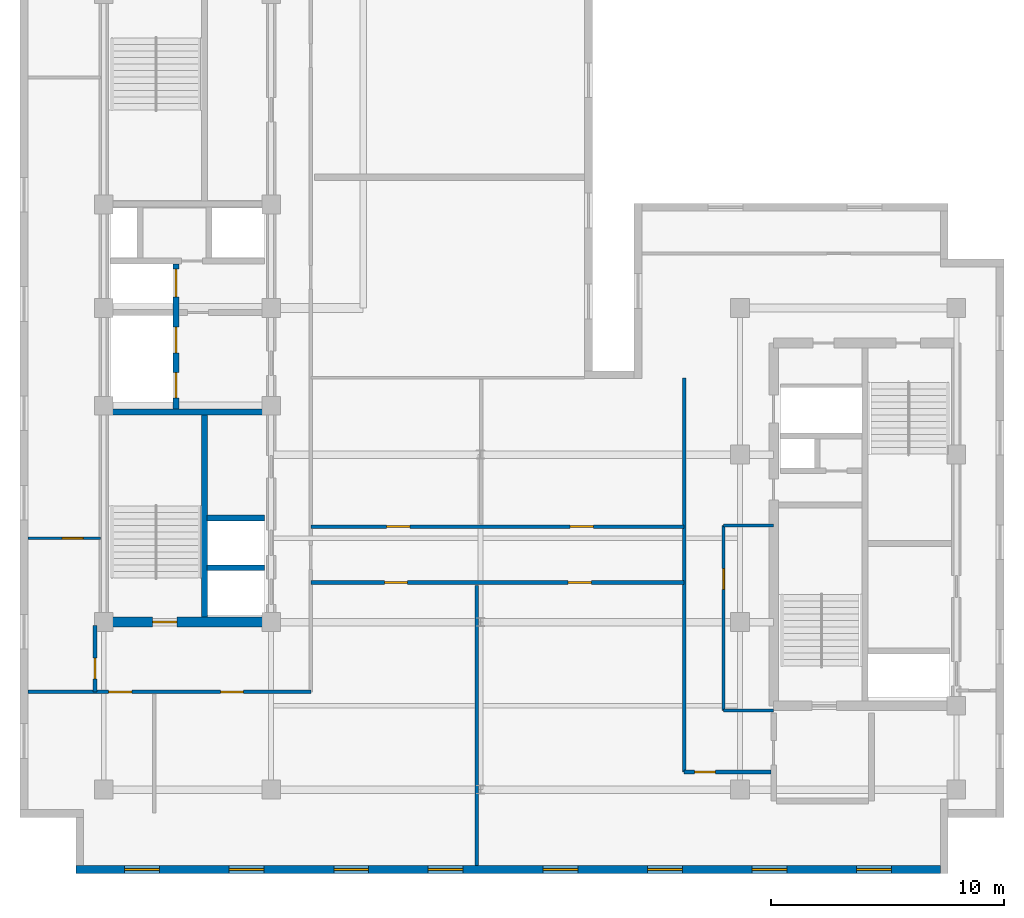
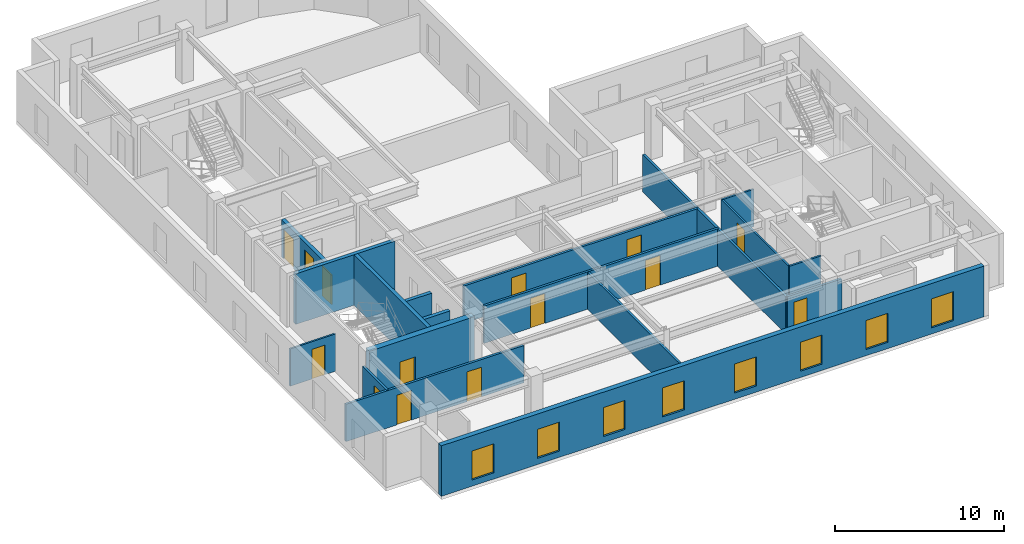
# One storey, part 3 of 9: 18 walls, 14 doors, 8 windows, 22 openings.
"""IFC4 building model written with IfcOpenShell, lengths in metres."""

from ifc_helpers import new_model, entity, si_unit, converted_unit, direction, frame, origin_with_axes, origin_2d_with_axis, place, context, subcontext, project, spatial, polyline, rectangle, outline, extrude, material, layer, layer_set, type_object, element, fill, save


model = new_model("IFC4")

# Units and contexts
model_context = context("Model", 3, precision=1e-05, world=origin_with_axes(), true_north=direction((0.0, 1.0)))
body_context = subcontext(model_context, "Body", "Model", "MODEL_VIEW")
ifc_project = project(units=[si_unit("LENGTHUNIT", "METRE"), si_unit("AREAUNIT", "SQUARE_METRE"), si_unit("VOLUMEUNIT", "CUBIC_METRE"), converted_unit("PLANEANGLEUNIT", "DEGREE", entity("IfcPlaneAngleMeasure", 0.017453292519943295), si_unit("PLANEANGLEUNIT", "RADIAN"), dimensions=[0, 0, 0, 0, 0, 0, 0]), si_unit("MASSUNIT", "GRAM", prefix="KILO"), si_unit("THERMODYNAMICTEMPERATUREUNIT", "KELVIN")], contexts=[model_context])

# Site, building, storey
site_placement = place(None, origin_with_axes())
site = spatial("IfcSite", under=ifc_project, at=site_placement, CompositionType="ELEMENT")
building_placement = place(site_placement, origin_with_axes())
building = spatial("IfcBuilding", under=site, at=building_placement, Name="Varnlund Millrace Tower", CompositionType="ELEMENT")
storey_placement = place(building_placement, frame((0.0, 0.0, 260.7), z_axis=(0.0, 0.0, 1.0), x_axis=(1.0, 0.0, 0.0)))
storey = spatial("IfcBuildingStorey", under=building, at=storey_placement, Name="L64", CompositionType="ELEMENT", Elevation=260.7)

# Wall, opening, door
ifc_material_1 = material(Name="Concrete C60/75", Category="concrete")
ifc_layer_1 = layer(ifc_material_1, 0.42, Name="Concrete C60/75")
ifc_layer_set_1 = layer_set([ifc_layer_1], Name="Concrete C60/75")
wall_type_1 = type_object("IfcWallType", Name="Type-CoreWall-Shear-420-C60", PredefinedType="SHEAR", material=ifc_layer_set_1)
wall_1_placement = place(storey_placement, frame((11.4, 10.8, 0.0), z_axis=(0.0, 0.0, 1.0), x_axis=(1.0, 0.0, 0.0)))
wall_1 = element("IfcWall", 1, at=wall_1_placement, inside=storey, type_object=wall_type_1, Name="Type-CoreWall-Shear-420-C60", PredefinedType="SHEAR", context=body_context, shape_type="SweptSolid", body=[
    extrude(outline(polyline([(0.0, -0.21), (7.2, -0.21), (7.2, 0.21), (0.0, 0.21), (0.0, -0.21)])), origin_with_axes(), (0.0, 0.0, 1.0), 3.66),
])
opening_1_placement = place(wall_1_placement, frame((2.625, 0.0, 0.0), z_axis=(0.0, 0.0, 1.0), x_axis=(1.0, 0.0, 0.0)))
opening_1 = element("IfcOpeningElement", 2, at=opening_1_placement, cuts=wall_1, Name="Opening L64:DR-STA1", PredefinedType="OPENING", context=body_context, shape_type="SweptSolid", body=[
    extrude(rectangle(XDim=1.05, YDim=0.44, at=origin_2d_with_axis()), origin_with_axes(), (0.0, 0.0, 1.0), 2.15),
])
ifc_material_2 = material(Name="Fire-rated hollow steel door", Category="steel")
door_type_1 = type_object("IfcDoorType", Name="Type-FireDoor-Stair-1050X2150", OperationType="NOTDEFINED", PredefinedType="DOOR", material=ifc_material_2)
door_1_placement = place(wall_1_placement, frame((2.625, 0.0, 0.0), z_axis=(0.0, 0.0, 1.0), x_axis=(1.0, 0.0, 0.0)))
door_1 = element("IfcDoor", 3, at=door_1_placement, inside=storey, type_object=door_type_1, Name="Type-FireDoor-Stair-1050X2150", OperationType="SINGLE_SWING_LEFT", OverallHeight=2.15, OverallWidth=1.05, PredefinedType="DOOR", context=body_context, shape_type="SweptSolid", body=[
    extrude(rectangle(XDim=1.05, YDim=0.09, at=origin_2d_with_axis()), origin_with_axes(), (0.0, 0.0, 1.0), 2.15),
])
fill(opening_1, door_1)

# Wall, openings, windows
ifc_material_3 = material(Name="Precast concrete C50/60", Category="concrete")
ifc_layer_2 = layer(ifc_material_3, 0.34, Name="Precast concrete C50/60")
ifc_layer_set_2 = layer_set([ifc_layer_2], Name="Precast concrete C50/60")
wall_type_2 = type_object("IfcWallType", Name="Type-ExtWall-Precast-Upper-340", PredefinedType="SOLIDWALL", material=ifc_layer_set_2)
wall_2_placement = place(storey_placement, frame((47.36, 0.17, 0.0), z_axis=(0.0, 0.0, 1.0), x_axis=(-1.0, 0.0, 0.0)))
wall_2 = element("IfcWall", 4, at=wall_2_placement, inside=storey, type_object=wall_type_2, Name="Type-ExtWall-Precast-Upper-340", PredefinedType="SOLIDWALL", context=body_context, shape_type="SweptSolid", body=[
    extrude(outline(polyline([(0.0, -0.17), (37.16, -0.17), (37.16, 0.17), (0.0, 0.17), (0.0, -0.17)])), origin_with_axes(), (0.0, 0.0, 1.0), 3.66),
])
opening_2_placement = place(wall_2_placement, frame((2.847, 0.0, 0.45), z_axis=(0.0, 0.0, 1.0), x_axis=(1.0, 0.0, 0.0)))
opening_2 = element("IfcOpeningElement", 5, at=opening_2_placement, cuts=wall_2, Name="Opening L64:WN-09", PredefinedType="OPENING", context=body_context, shape_type="SweptSolid", body=[
    extrude(rectangle(XDim=1.5, YDim=0.36, at=origin_2d_with_axis()), origin_with_axes(), (0.0, 0.0, 1.0), 2.1),
])
opening_3_placement = place(wall_2_placement, frame((7.342, 0.0, 0.45), z_axis=(0.0, 0.0, 1.0), x_axis=(1.0, 0.0, 0.0)))
opening_3 = element("IfcOpeningElement", 6, at=opening_3_placement, cuts=wall_2, Name="Opening L64:WN-10", PredefinedType="OPENING", context=body_context, shape_type="SweptSolid", body=[
    extrude(rectangle(XDim=1.5, YDim=0.36, at=origin_2d_with_axis()), origin_with_axes(), (0.0, 0.0, 1.0), 2.1),
])
opening_4_placement = place(wall_2_placement, frame((11.837, 0.0, 0.45), z_axis=(0.0, 0.0, 1.0), x_axis=(1.0, 0.0, 0.0)))
opening_4 = element("IfcOpeningElement", 7, at=opening_4_placement, cuts=wall_2, Name="Opening L64:WN-11", PredefinedType="OPENING", context=body_context, shape_type="SweptSolid", body=[
    extrude(rectangle(XDim=1.5, YDim=0.36, at=origin_2d_with_axis()), origin_with_axes(), (0.0, 0.0, 1.0), 2.1),
])
opening_5_placement = place(wall_2_placement, frame((16.332, 0.0, 0.45), z_axis=(0.0, 0.0, 1.0), x_axis=(1.0, 0.0, 0.0)))
opening_5 = element("IfcOpeningElement", 8, at=opening_5_placement, cuts=wall_2, Name="Opening L64:WN-12", PredefinedType="OPENING", context=body_context, shape_type="SweptSolid", body=[
    extrude(rectangle(XDim=1.5, YDim=0.36, at=origin_2d_with_axis()), origin_with_axes(), (0.0, 0.0, 1.0), 2.1),
])
opening_6_placement = place(wall_2_placement, frame((21.277, 0.0, 0.45), z_axis=(0.0, 0.0, 1.0), x_axis=(1.0, 0.0, 0.0)))
opening_6 = element("IfcOpeningElement", 9, at=opening_6_placement, cuts=wall_2, Name="Opening L64:WN-13", PredefinedType="OPENING", context=body_context, shape_type="SweptSolid", body=[
    extrude(rectangle(XDim=1.5, YDim=0.36, at=origin_2d_with_axis()), origin_with_axes(), (0.0, 0.0, 1.0), 2.1),
])
opening_7_placement = place(wall_2_placement, frame((25.322, 0.0, 0.45), z_axis=(0.0, 0.0, 1.0), x_axis=(1.0, 0.0, 0.0)))
opening_7 = element("IfcOpeningElement", 10, at=opening_7_placement, cuts=wall_2, Name="Opening L64:WN-14", PredefinedType="OPENING", context=body_context, shape_type="SweptSolid", body=[
    extrude(rectangle(XDim=1.5, YDim=0.36, at=origin_2d_with_axis()), origin_with_axes(), (0.0, 0.0, 1.0), 2.1),
])
opening_8_placement = place(wall_2_placement, frame((29.817, 0.0, 0.45), z_axis=(0.0, 0.0, 1.0), x_axis=(1.0, 0.0, 0.0)))
opening_8 = element("IfcOpeningElement", 11, at=opening_8_placement, cuts=wall_2, Name="Opening L64:WN-15", PredefinedType="OPENING", context=body_context, shape_type="SweptSolid", body=[
    extrude(rectangle(XDim=1.5, YDim=0.36, at=origin_2d_with_axis()), origin_with_axes(), (0.0, 0.0, 1.0), 2.1),
])
opening_9_placement = place(wall_2_placement, frame((34.312, 0.0, 0.45), z_axis=(0.0, 0.0, 1.0), x_axis=(1.0, 0.0, 0.0)))
opening_9 = element("IfcOpeningElement", 12, at=opening_9_placement, cuts=wall_2, Name="Opening L64:WN-16", PredefinedType="OPENING", context=body_context, shape_type="SweptSolid", body=[
    extrude(rectangle(XDim=1.5, YDim=0.36, at=origin_2d_with_axis()), origin_with_axes(), (0.0, 0.0, 1.0), 2.1),
])
ifc_material_4 = material(Name="Argon low-e triple glazing in thermally broken bronze frame", Category="glass")
window_type = type_object("IfcWindowType", Name="Type-Window-Punched-1500X2100", PartitioningType="SINGLE_PANEL", PredefinedType="WINDOW", material=ifc_material_4)
window_1_placement = place(wall_2_placement, frame((2.847, 0.0, 0.45), z_axis=(0.0, 0.0, 1.0), x_axis=(1.0, 0.0, 0.0)))
window_1 = element("IfcWindow", 13, at=window_1_placement, inside=storey, type_object=window_type, Name="Type-Window-Punched-1500X2100", OverallHeight=2.1, OverallWidth=1.5, PredefinedType="WINDOW", context=body_context, shape_type="SweptSolid", body=[
    extrude(rectangle(XDim=1.5, YDim=0.09, at=origin_2d_with_axis()), origin_with_axes(), (0.0, 0.0, 1.0), 2.1),
])
fill(opening_2, window_1)
window_2_placement = place(wall_2_placement, frame((7.342, 0.0, 0.45), z_axis=(0.0, 0.0, 1.0), x_axis=(1.0, 0.0, 0.0)))
window_2 = element("IfcWindow", 14, at=window_2_placement, inside=storey, type_object=window_type, Name="Type-Window-Punched-1500X2100", OverallHeight=2.1, OverallWidth=1.5, PredefinedType="WINDOW", context=body_context, shape_type="SweptSolid", body=[
    extrude(rectangle(XDim=1.5, YDim=0.09, at=origin_2d_with_axis()), origin_with_axes(), (0.0, 0.0, 1.0), 2.1),
])
fill(opening_3, window_2)
window_3_placement = place(wall_2_placement, frame((11.837, 0.0, 0.45), z_axis=(0.0, 0.0, 1.0), x_axis=(1.0, 0.0, 0.0)))
window_3 = element("IfcWindow", 15, at=window_3_placement, inside=storey, type_object=window_type, Name="Type-Window-Punched-1500X2100", OverallHeight=2.1, OverallWidth=1.5, PredefinedType="WINDOW", context=body_context, shape_type="SweptSolid", body=[
    extrude(rectangle(XDim=1.5, YDim=0.09, at=origin_2d_with_axis()), origin_with_axes(), (0.0, 0.0, 1.0), 2.1),
])
fill(opening_4, window_3)
window_4_placement = place(wall_2_placement, frame((16.332, 0.0, 0.45), z_axis=(0.0, 0.0, 1.0), x_axis=(1.0, 0.0, 0.0)))
window_4 = element("IfcWindow", 16, at=window_4_placement, inside=storey, type_object=window_type, Name="Type-Window-Punched-1500X2100", OverallHeight=2.1, OverallWidth=1.5, PredefinedType="WINDOW", context=body_context, shape_type="SweptSolid", body=[
    extrude(rectangle(XDim=1.5, YDim=0.09, at=origin_2d_with_axis()), origin_with_axes(), (0.0, 0.0, 1.0), 2.1),
])
fill(opening_5, window_4)
window_5_placement = place(wall_2_placement, frame((21.277, 0.0, 0.45), z_axis=(0.0, 0.0, 1.0), x_axis=(1.0, 0.0, 0.0)))
window_5 = element("IfcWindow", 17, at=window_5_placement, inside=storey, type_object=window_type, Name="Type-Window-Punched-1500X2100", OverallHeight=2.1, OverallWidth=1.5, PredefinedType="WINDOW", context=body_context, shape_type="SweptSolid", body=[
    extrude(rectangle(XDim=1.5, YDim=0.09, at=origin_2d_with_axis()), origin_with_axes(), (0.0, 0.0, 1.0), 2.1),
])
fill(opening_6, window_5)
window_6_placement = place(wall_2_placement, frame((25.322, 0.0, 0.45), z_axis=(0.0, 0.0, 1.0), x_axis=(1.0, 0.0, 0.0)))
window_6 = element("IfcWindow", 18, at=window_6_placement, inside=storey, type_object=window_type, Name="Type-Window-Punched-1500X2100", OverallHeight=2.1, OverallWidth=1.5, PredefinedType="WINDOW", context=body_context, shape_type="SweptSolid", body=[
    extrude(rectangle(XDim=1.5, YDim=0.09, at=origin_2d_with_axis()), origin_with_axes(), (0.0, 0.0, 1.0), 2.1),
])
fill(opening_7, window_6)
window_7_placement = place(wall_2_placement, frame((29.817, 0.0, 0.45), z_axis=(0.0, 0.0, 1.0), x_axis=(1.0, 0.0, 0.0)))
window_7 = element("IfcWindow", 19, at=window_7_placement, inside=storey, type_object=window_type, Name="Type-Window-Punched-1500X2100", OverallHeight=2.1, OverallWidth=1.5, PredefinedType="WINDOW", context=body_context, shape_type="SweptSolid", body=[
    extrude(rectangle(XDim=1.5, YDim=0.09, at=origin_2d_with_axis()), origin_with_axes(), (0.0, 0.0, 1.0), 2.1),
])
fill(opening_8, window_7)
window_8_placement = place(wall_2_placement, frame((34.312, 0.0, 0.45), z_axis=(0.0, 0.0, 1.0), x_axis=(1.0, 0.0, 0.0)))
window_8 = element("IfcWindow", 20, at=window_8_placement, inside=storey, type_object=window_type, Name="Type-Window-Punched-1500X2100", OverallHeight=2.1, OverallWidth=1.5, PredefinedType="WINDOW", context=body_context, shape_type="SweptSolid", body=[
    extrude(rectangle(XDim=1.5, YDim=0.09, at=origin_2d_with_axis()), origin_with_axes(), (0.0, 0.0, 1.0), 2.1),
])
fill(opening_9, window_8)

# Wall, openings, doors
ifc_material_5 = material(Name="Fire-rated gypsum board on cold-formed steel framing", Category="steel")
ifc_layer_3 = layer(ifc_material_5, 0.16, Name="Fire-rated gypsum board on cold-formed steel framing")
ifc_layer_set_3 = layer_set([ifc_layer_3], Name="Fire-rated gypsum board on cold-formed steel framing")
wall_type_3 = type_object("IfcWallType", Name="Type-Partition-Corridor-160", PredefinedType="PARTITIONING", material=ifc_layer_set_3)
wall_3_placement = place(storey_placement, frame((8.135, 7.8, 0.0), z_axis=(0.0, 0.0, 1.0), x_axis=(1.0, 0.0, 0.0)))
wall_3 = element("IfcWall", 21, at=wall_3_placement, inside=storey, type_object=wall_type_3, Name="Type-Partition-Corridor-160", PredefinedType="PARTITIONING", context=body_context, shape_type="SweptSolid", body=[
    extrude(outline(polyline([(0.0, -0.08), (12.165, -0.08), (12.165, 0.08), (0.0, 0.08), (0.0, -0.08)])), origin_with_axes(), (0.0, 0.0, 1.0), 2.7),
])
opening_10_placement = place(wall_3_placement, frame((3.979, 0.0, 0.0), z_axis=(0.0, 0.0, 1.0), x_axis=(1.0, 0.0, 0.0)))
opening_10 = element("IfcOpeningElement", 22, at=opening_10_placement, cuts=wall_3, Name="Opening L64:DR-WAS-01", PredefinedType="OPENING", context=body_context, shape_type="SweptSolid", body=[
    extrude(rectangle(XDim=1.0, YDim=0.18, at=origin_2d_with_axis()), origin_with_axes(), (0.0, 0.0, 1.0), 2.15),
])
opening_11_placement = place(wall_3_placement, frame((8.7785, 0.0, 0.0), z_axis=(0.0, 0.0, 1.0), x_axis=(1.0, 0.0, 0.0)))
opening_11 = element("IfcOpeningElement", 23, at=opening_11_placement, cuts=wall_3, Name="Opening L64:DR-WAS-02", PredefinedType="OPENING", context=body_context, shape_type="SweptSolid", body=[
    extrude(rectangle(XDim=1.0, YDim=0.18, at=origin_2d_with_axis()), origin_with_axes(), (0.0, 0.0, 1.0), 2.15),
])
ifc_material_6 = material(Name="Solid-core white oak and bronze frame door")
door_type_2 = type_object("IfcDoorType", Name="Type-IntDoor-Office-1000X2150", OperationType="NOTDEFINED", PredefinedType="DOOR", material=ifc_material_6)
door_2_placement = place(wall_3_placement, frame((3.979, 0.0, 0.0), z_axis=(0.0, 0.0, 1.0), x_axis=(1.0, 0.0, 0.0)))
door_2 = element("IfcDoor", 24, at=door_2_placement, inside=storey, type_object=door_type_2, Name="Type-IntDoor-Office-1000X2150", OperationType="SINGLE_SWING_LEFT", OverallHeight=2.15, OverallWidth=1.0, PredefinedType="DOOR", context=body_context, shape_type="SweptSolid", body=[
    extrude(rectangle(XDim=1.0, YDim=0.09, at=origin_2d_with_axis()), origin_with_axes(), (0.0, 0.0, 1.0), 2.15),
])
fill(opening_10, door_2)
door_3_placement = place(wall_3_placement, frame((8.7785, 0.0, 0.0), z_axis=(0.0, 0.0, 1.0), x_axis=(1.0, 0.0, 0.0)))
door_3 = element("IfcDoor", 25, at=door_3_placement, inside=storey, type_object=door_type_2, Name="Type-IntDoor-Office-1000X2150", OperationType="SINGLE_SWING_RIGHT", OverallHeight=2.15, OverallWidth=1.0, PredefinedType="DOOR", context=body_context, shape_type="SweptSolid", body=[
    extrude(rectangle(XDim=1.0, YDim=0.09, at=origin_2d_with_axis()), origin_with_axes(), (0.0, 0.0, 1.0), 2.15),
])
fill(opening_11, door_3)

# Wall, opening, door
wall_4_placement = place(storey_placement, frame((11.02, 7.8, 0.0), z_axis=(0.0, 0.0, 1.0), x_axis=(0.0, 1.0, 0.0)))
wall_4 = element("IfcWall", 26, at=wall_4_placement, inside=storey, type_object=wall_type_3, Name="Type-Partition-Corridor-160", PredefinedType="PARTITIONING", context=body_context, shape_type="SweptSolid", body=[
    extrude(outline(polyline([(0.0, -0.08), (2.85, -0.08), (2.85, 0.08), (0.0, 0.08), (0.0, -0.08)])), origin_with_axes(), (0.0, 0.0, 1.0), 2.7),
])
opening_12_placement = place(wall_4_placement, frame((1.0, 0.0, 0.0), z_axis=(0.0, 0.0, 1.0), x_axis=(1.0, 0.0, 0.0)))
opening_12 = element("IfcOpeningElement", 27, at=opening_12_placement, cuts=wall_4, Name="Opening L64:DR-WU-S1", PredefinedType="OPENING", context=body_context, shape_type="SweptSolid", body=[
    extrude(rectangle(XDim=0.9, YDim=0.18, at=origin_2d_with_axis()), origin_with_axes(), (0.0, 0.0, 1.0), 2.15),
])
ifc_material_7 = material(Name="Painted steel riser and closet door", Category="steel")
door_type_3 = type_object("IfcDoorType", Name="Type-IntDoor-Closet-900X2150", OperationType="NOTDEFINED", PredefinedType="DOOR", material=ifc_material_7)
door_4_placement = place(wall_4_placement, frame((1.0, 0.0, 0.0), z_axis=(0.0, 0.0, 1.0), x_axis=(1.0, 0.0, 0.0)))
door_4 = element("IfcDoor", 28, at=door_4_placement, inside=storey, type_object=door_type_3, Name="Type-IntDoor-Closet-900X2150", OperationType="SINGLE_SWING_LEFT", OverallHeight=2.15, OverallWidth=0.9, PredefinedType="DOOR", context=body_context, shape_type="SweptSolid", body=[
    extrude(rectangle(XDim=0.9, YDim=0.09, at=origin_2d_with_axis()), origin_with_axes(), (0.0, 0.0, 1.0), 2.15),
])
fill(opening_12, door_4)

# Wall, openings, doors
wall_5_placement = place(storey_placement, frame((20.3, 12.5, 0.0), z_axis=(0.0, 0.0, 1.0), x_axis=(1.0, 0.0, 0.0)))
wall_5 = element("IfcWall", 29, at=wall_5_placement, inside=storey, type_object=wall_type_3, Name="Type-Partition-Corridor-160", PredefinedType="PARTITIONING", context=body_context, shape_type="SweptSolid", body=[
    extrude(outline(polyline([(0.0, -0.08), (16.05, -0.08), (16.05, 0.08), (0.0, 0.08), (0.0, -0.08)])), origin_with_axes(), (0.0, 0.0, 1.0), 2.7),
])
opening_13_placement = place(wall_5_placement, frame((3.662, 0.0, 0.0), z_axis=(0.0, 0.0, 1.0), x_axis=(1.0, 0.0, 0.0)))
opening_13 = element("IfcOpeningElement", 30, at=opening_13_placement, cuts=wall_5, Name="Opening L64:DR-KNS-01", PredefinedType="OPENING", context=body_context, shape_type="SweptSolid", body=[
    extrude(rectangle(XDim=1.0, YDim=0.18, at=origin_2d_with_axis()), origin_with_axes(), (0.0, 0.0, 1.0), 2.15),
])
opening_14_placement = place(wall_5_placement, frame((11.557, 0.0, 0.0), z_axis=(0.0, 0.0, 1.0), x_axis=(1.0, 0.0, 0.0)))
opening_14 = element("IfcOpeningElement", 31, at=opening_14_placement, cuts=wall_5, Name="Opening L64:DR-KNS-02", PredefinedType="OPENING", context=body_context, shape_type="SweptSolid", body=[
    extrude(rectangle(XDim=1.0, YDim=0.18, at=origin_2d_with_axis()), origin_with_axes(), (0.0, 0.0, 1.0), 2.15),
])
door_5_placement = place(wall_5_placement, frame((3.662, 0.0, 0.0), z_axis=(0.0, 0.0, 1.0), x_axis=(1.0, 0.0, 0.0)))
door_5 = element("IfcDoor", 32, at=door_5_placement, inside=storey, type_object=door_type_2, Name="Type-IntDoor-Office-1000X2150", OperationType="SINGLE_SWING_LEFT", OverallHeight=2.15, OverallWidth=1.0, PredefinedType="DOOR", context=body_context, shape_type="SweptSolid", body=[
    extrude(rectangle(XDim=1.0, YDim=0.09, at=origin_2d_with_axis()), origin_with_axes(), (0.0, 0.0, 1.0), 2.15),
])
fill(opening_13, door_5)
door_6_placement = place(wall_5_placement, frame((11.557, 0.0, 0.0), z_axis=(0.0, 0.0, 1.0), x_axis=(1.0, 0.0, 0.0)))
door_6 = element("IfcDoor", 33, at=door_6_placement, inside=storey, type_object=door_type_2, Name="Type-IntDoor-Office-1000X2150", OperationType="SINGLE_SWING_RIGHT", OverallHeight=2.15, OverallWidth=1.0, PredefinedType="DOOR", context=body_context, shape_type="SweptSolid", body=[
    extrude(rectangle(XDim=1.0, YDim=0.09, at=origin_2d_with_axis()), origin_with_axes(), (0.0, 0.0, 1.0), 2.15),
])
fill(opening_14, door_6)

wall_6_placement = place(storey_placement, frame((20.3, 14.9, 0.0), z_axis=(0.0, 0.0, 1.0), x_axis=(1.0, 0.0, 0.0)))
wall_6 = element("IfcWall", 34, at=wall_6_placement, inside=storey, type_object=wall_type_3, Name="Type-Partition-Corridor-160", PredefinedType="PARTITIONING", context=body_context, shape_type="SweptSolid", body=[
    extrude(outline(polyline([(0.0, -0.08), (16.05, -0.08), (16.05, 0.08), (0.0, 0.08), (0.0, -0.08)])), origin_with_axes(), (0.0, 0.0, 1.0), 2.7),
])
opening_15_placement = place(wall_6_placement, frame((3.759, 0.0, 0.0), z_axis=(0.0, 0.0, 1.0), x_axis=(1.0, 0.0, 0.0)))
opening_15 = element("IfcOpeningElement", 35, at=opening_15_placement, cuts=wall_6, Name="Opening L64:DR-KN-01", PredefinedType="OPENING", context=body_context, shape_type="SweptSolid", body=[
    extrude(rectangle(XDim=1.0, YDim=0.18, at=origin_2d_with_axis()), origin_with_axes(), (0.0, 0.0, 1.0), 2.15),
])
opening_16_placement = place(wall_6_placement, frame((11.654, 0.0, 0.0), z_axis=(0.0, 0.0, 1.0), x_axis=(1.0, 0.0, 0.0)))
opening_16 = element("IfcOpeningElement", 36, at=opening_16_placement, cuts=wall_6, Name="Opening L64:DR-KN-02", PredefinedType="OPENING", context=body_context, shape_type="SweptSolid", body=[
    extrude(rectangle(XDim=1.0, YDim=0.18, at=origin_2d_with_axis()), origin_with_axes(), (0.0, 0.0, 1.0), 2.15),
])
door_7_placement = place(wall_6_placement, frame((3.759, 0.0, 0.0), z_axis=(0.0, 0.0, 1.0), x_axis=(1.0, 0.0, 0.0)))
door_7 = element("IfcDoor", 37, at=door_7_placement, inside=storey, type_object=door_type_2, Name="Type-IntDoor-Office-1000X2150", OperationType="SINGLE_SWING_LEFT", OverallHeight=2.15, OverallWidth=1.0, PredefinedType="DOOR", context=body_context, shape_type="SweptSolid", body=[
    extrude(rectangle(XDim=1.0, YDim=0.09, at=origin_2d_with_axis()), origin_with_axes(), (0.0, 0.0, 1.0), 2.15),
])
fill(opening_15, door_7)
door_8_placement = place(wall_6_placement, frame((11.654, 0.0, 0.0), z_axis=(0.0, 0.0, 1.0), x_axis=(1.0, 0.0, 0.0)))
door_8 = element("IfcDoor", 38, at=door_8_placement, inside=storey, type_object=door_type_2, Name="Type-IntDoor-Office-1000X2150", OperationType="SINGLE_SWING_RIGHT", OverallHeight=2.15, OverallWidth=1.0, PredefinedType="DOOR", context=body_context, shape_type="SweptSolid", body=[
    extrude(rectangle(XDim=1.0, YDim=0.09, at=origin_2d_with_axis()), origin_with_axes(), (0.0, 0.0, 1.0), 2.15),
])
fill(opening_16, door_8)

# Wall
wall_7_placement = place(storey_placement, frame((36.35, 4.35, 0.0), z_axis=(0.0, 0.0, 1.0), x_axis=(0.0, 1.0, 0.0)))
element("IfcWall", 39, at=wall_7_placement, inside=storey, type_object=wall_type_3, Name="Type-Partition-Corridor-160", PredefinedType="PARTITIONING", context=body_context, shape_type="SweptSolid", body=[
    extrude(outline(polyline([(0.0, -0.08), (16.95, -0.08), (16.95, 0.08), (0.0, 0.08), (0.0, -0.08)])), origin_with_axes(), (0.0, 0.0, 1.0), 2.7),
])

# Wall, opening, door
wall_8_placement = place(storey_placement, frame((36.35, 4.35, 0.0), z_axis=(0.0, 0.0, 1.0), x_axis=(1.0, 0.0, 0.0)))
wall_8 = element("IfcWall", 40, at=wall_8_placement, inside=storey, type_object=wall_type_3, Name="Type-Partition-Corridor-160", PredefinedType="PARTITIONING", context=body_context, shape_type="SweptSolid", body=[
    extrude(outline(polyline([(0.0, -0.08), (3.725, -0.08), (3.725, 0.08), (0.0, 0.08), (0.0, -0.08)])), origin_with_axes(), (0.0, 0.0, 1.0), 2.7),
])
opening_17_placement = place(wall_8_placement, frame((0.9, 0.0, 0.0), z_axis=(0.0, 0.0, 1.0), x_axis=(1.0, 0.0, 0.0)))
opening_17 = element("IfcOpeningElement", 41, at=opening_17_placement, cuts=wall_8, Name="Opening L64:DR-Z4-KNS", PredefinedType="OPENING", context=body_context, shape_type="SweptSolid", body=[
    extrude(rectangle(XDim=0.9, YDim=0.18, at=origin_2d_with_axis()), origin_with_axes(), (0.0, 0.0, 1.0), 2.15),
])
door_9_placement = place(wall_8_placement, frame((0.9, 0.0, 0.0), z_axis=(0.0, 0.0, 1.0), x_axis=(1.0, 0.0, 0.0)))
door_9 = element("IfcDoor", 42, at=door_9_placement, inside=storey, type_object=door_type_3, Name="Type-IntDoor-Closet-900X2150", OperationType="SINGLE_SWING_LEFT", OverallHeight=2.15, OverallWidth=0.9, PredefinedType="DOOR", context=body_context, shape_type="SweptSolid", body=[
    extrude(rectangle(XDim=0.9, YDim=0.09, at=origin_2d_with_axis()), origin_with_axes(), (0.0, 0.0, 1.0), 2.15),
])
fill(opening_17, door_9)

# Wall
ifc_material_8 = material(Name="Acoustic STC-50 gypsum board partition", Category="gypsum")
ifc_layer_4 = layer(ifc_material_8, 0.15, Name="Acoustic STC-50 gypsum board partition")
ifc_layer_set_4 = layer_set([ifc_layer_4], Name="Acoustic STC-50 gypsum board partition")
wall_type_4 = type_object("IfcWallType", Name="Type-Partition-Demising-150", PredefinedType="PARTITIONING", material=ifc_layer_set_4)
wall_9_placement = place(storey_placement, frame((27.444, 0.335, 0.0), z_axis=(0.0, 0.0, 1.0), x_axis=(0.0, 1.0, 0.0)))
element("IfcWall", 43, at=wall_9_placement, inside=storey, type_object=wall_type_4, Name="Type-Partition-Demising-150", PredefinedType="PARTITIONING", context=body_context, shape_type="SweptSolid", body=[
    extrude(outline(polyline([(0.0, -0.075), (12.045, -0.075), (12.045, 0.075), (0.0, 0.075), (0.0, -0.075)])), origin_with_axes(), (0.0, 0.0, 1.0), 2.7),
])

# Wall, opening, door
ifc_material_9 = material(Name="Gypsum board tenant partition", Category="gypsum")
ifc_layer_5 = layer(ifc_material_9, 0.125, Name="Gypsum board tenant partition")
ifc_layer_set_5 = layer_set([ifc_layer_5], Name="Gypsum board tenant partition")
wall_type_5 = type_object("IfcWallType", Name="Type-Partition-Tenant-125", PredefinedType="PARTITIONING", material=ifc_layer_set_5)
wall_10_placement = place(storey_placement, frame((8.135, 14.4, 0.0), z_axis=(0.0, 0.0, 1.0), x_axis=(1.0, 0.0, 0.0)))
wall_10 = element("IfcWall", 44, at=wall_10_placement, inside=storey, type_object=wall_type_5, Name="Type-Partition-Tenant-125", PredefinedType="PARTITIONING", context=body_context, shape_type="SweptSolid", body=[
    extrude(outline(polyline([(0.0, -0.0625), (3.135, -0.0625), (3.135, 0.0625), (0.0, 0.0625), (0.0, -0.0625)])), origin_with_axes(), (0.0, 0.0, 1.0), 2.7),
])
opening_18_placement = place(wall_10_placement, frame((1.925, 0.0, 0.0), z_axis=(0.0, 0.0, 1.0), x_axis=(1.0, 0.0, 0.0)))
opening_18 = element("IfcOpeningElement", 45, at=opening_18_placement, cuts=wall_10, Name="Opening L64:DR-WU-M1", PredefinedType="OPENING", context=body_context, shape_type="SweptSolid", body=[
    extrude(rectangle(XDim=0.9, YDim=0.145, at=origin_2d_with_axis()), origin_with_axes(), (0.0, 0.0, 1.0), 2.15),
])
door_10_placement = place(wall_10_placement, frame((1.925, 0.0, 0.0), z_axis=(0.0, 0.0, 1.0), x_axis=(1.0, 0.0, 0.0)))
door_10 = element("IfcDoor", 46, at=door_10_placement, inside=storey, type_object=door_type_3, Name="Type-IntDoor-Closet-900X2150", OperationType="SINGLE_SWING_LEFT", OverallHeight=2.15, OverallWidth=0.9, PredefinedType="DOOR", context=body_context, shape_type="SweptSolid", body=[
    extrude(rectangle(XDim=0.9, YDim=0.075, at=origin_2d_with_axis()), origin_with_axes(), (0.0, 0.0, 1.0), 2.15),
])
fill(opening_18, door_10)

# Walls
for number, where, z_axis, x_axis, name in (
    (47, (38.05, 7.0, 0.0), (0.0, 0.0, 1.0), (1.0, 0.0, 0.0), "Type-Partition-Tenant-125"),
    (48, (38.05, 14.95, 0.0), (0.0, 0.0, 1.0), (1.0, 0.0, 0.0), "Type-Partition-Tenant-125"),
):
    element("IfcWall", number, at=place(storey_placement, frame(where, z_axis=z_axis, x_axis=x_axis)), inside=storey, type_object=wall_type_5, Name=name, PredefinedType="PARTITIONING", context=body_context, shape_type="SweptSolid", body=[
        extrude(outline(polyline([(0.0, -0.0625), (2.15, -0.0625), (2.15, 0.0625), (0.0, 0.0625), (0.0, -0.0625)])), origin_with_axes(), (0.0, 0.0, 1.0), 2.7),
    ])

# Wall, opening, door
wall_11_placement = place(storey_placement, frame((38.05, 7.0, 0.0), z_axis=(0.0, 0.0, 1.0), x_axis=(0.0, 1.0, 0.0)))
wall_11 = element("IfcWall", 49, at=wall_11_placement, inside=storey, type_object=wall_type_5, Name="Type-Partition-Tenant-125", PredefinedType="PARTITIONING", context=body_context, shape_type="SweptSolid", body=[
    extrude(outline(polyline([(0.0, -0.0625), (7.95, -0.0625), (7.95, 0.0625), (0.0, 0.0625), (0.0, -0.0625)])), origin_with_axes(), (0.0, 0.0, 1.0), 2.7),
])
opening_19_placement = place(wall_11_placement, frame((5.65, 0.0, 0.0), z_axis=(0.0, 0.0, 1.0), x_axis=(1.0, 0.0, 0.0)))
opening_19 = element("IfcOpeningElement", 50, at=opening_19_placement, cuts=wall_11, Name="Opening L64:DR-Z4-KMID", PredefinedType="OPENING", context=body_context, shape_type="SweptSolid", body=[
    extrude(rectangle(XDim=0.9, YDim=0.145, at=origin_2d_with_axis()), origin_with_axes(), (0.0, 0.0, 1.0), 2.15),
])
door_11_placement = place(wall_11_placement, frame((5.65, 0.0, 0.0), z_axis=(0.0, 0.0, 1.0), x_axis=(1.0, 0.0, 0.0)))
door_11 = element("IfcDoor", 51, at=door_11_placement, inside=storey, type_object=door_type_3, Name="Type-IntDoor-Closet-900X2150", OperationType="SINGLE_SWING_LEFT", OverallHeight=2.15, OverallWidth=0.9, PredefinedType="DOOR", context=body_context, shape_type="SweptSolid", body=[
    extrude(rectangle(XDim=0.9, YDim=0.075, at=origin_2d_with_axis()), origin_with_axes(), (0.0, 0.0, 1.0), 2.15),
])
fill(opening_19, door_11)

# Wall, openings, doors
ifc_layer_6 = layer(ifc_material_1, 0.25, Name="Concrete C60/75")
ifc_layer_set_6 = layer_set([ifc_layer_6], Name="Concrete C60/75")
wall_type_6 = type_object("IfcWallType", Name="Type-ShaftWall-Fire-250", PredefinedType="SOLIDWALL", material=ifc_layer_set_6)
wall_12_placement = place(storey_placement, frame((14.5, 19.95, 0.0), z_axis=(0.0, 0.0, 1.0), x_axis=(0.0, 1.0, 0.0)))
wall_12 = element("IfcWall", 52, at=wall_12_placement, inside=storey, type_object=wall_type_6, Name="Type-ShaftWall-Fire-250", PredefinedType="SOLIDWALL", context=body_context, shape_type="SweptSolid", body=[
    extrude(outline(polyline([(0.0, -0.125), (6.25, -0.125), (6.25, 0.125), (0.0, 0.125), (0.0, -0.125)])), origin_with_axes(), (0.0, 0.0, 1.0), 2.7),
])
opening_20_placement = place(wall_12_placement, frame((1.025, 0.0, 0.0), z_axis=(0.0, 0.0, 1.0), x_axis=(1.0, 0.0, 0.0)))
opening_20 = element("IfcOpeningElement", 53, at=opening_20_placement, cuts=wall_12, Name="Opening L64:LD-FSAE1", PredefinedType="OPENING", context=body_context, shape_type="SweptSolid", body=[
    extrude(rectangle(XDim=1.1, YDim=0.27, at=origin_2d_with_axis()), origin_with_axes(), (0.0, 0.0, 1.0), 2.15),
])
opening_21_placement = place(wall_12_placement, frame((2.975, 0.0, 0.0), z_axis=(0.0, 0.0, 1.0), x_axis=(1.0, 0.0, 0.0)))
opening_21 = element("IfcOpeningElement", 54, at=opening_21_placement, cuts=wall_12, Name="Opening L64:LD-FSAE2", PredefinedType="OPENING", context=body_context, shape_type="SweptSolid", body=[
    extrude(rectangle(XDim=1.1, YDim=0.27, at=origin_2d_with_axis()), origin_with_axes(), (0.0, 0.0, 1.0), 2.15),
])
opening_22_placement = place(wall_12_placement, frame((5.425, 0.0, 0.0), z_axis=(0.0, 0.0, 1.0), x_axis=(1.0, 0.0, 0.0)))
opening_22 = element("IfcOpeningElement", 55, at=opening_22_placement, cuts=wall_12, Name="Opening L64:LD-SRV1", PredefinedType="OPENING", context=body_context, shape_type="SweptSolid", body=[
    extrude(rectangle(XDim=1.2, YDim=0.27, at=origin_2d_with_axis()), origin_with_axes(), (0.0, 0.0, 1.0), 2.15),
])
ifc_material_10 = material(Name="Stainless and architectural bronze sliding landing door")
door_type_4 = type_object("IfcDoorType", Name="Type-LiftLandingDoor-1100X2150", OperationType="NOTDEFINED", PredefinedType="DOOR", material=ifc_material_10)
door_12_placement = place(wall_12_placement, frame((1.025, 0.0, 0.0), z_axis=(0.0, 0.0, 1.0), x_axis=(1.0, 0.0, 0.0)))
door_12 = element("IfcDoor", 56, at=door_12_placement, inside=storey, type_object=door_type_4, Name="Type-LiftLandingDoor-1100X2150", OperationType="SLIDING_TO_LEFT", OverallHeight=2.15, OverallWidth=1.1, PredefinedType="DOOR", context=body_context, shape_type="SweptSolid", body=[
    extrude(rectangle(XDim=1.1, YDim=0.09, at=origin_2d_with_axis()), origin_with_axes(), (0.0, 0.0, 1.0), 2.15),
])
fill(opening_20, door_12)
door_13_placement = place(wall_12_placement, frame((2.975, 0.0, 0.0), z_axis=(0.0, 0.0, 1.0), x_axis=(1.0, 0.0, 0.0)))
door_13 = element("IfcDoor", 57, at=door_13_placement, inside=storey, type_object=door_type_4, Name="Type-LiftLandingDoor-1100X2150", OperationType="SLIDING_TO_RIGHT", OverallHeight=2.15, OverallWidth=1.1, PredefinedType="DOOR", context=body_context, shape_type="SweptSolid", body=[
    extrude(rectangle(XDim=1.1, YDim=0.09, at=origin_2d_with_axis()), origin_with_axes(), (0.0, 0.0, 1.0), 2.15),
])
fill(opening_21, door_13)
ifc_material_11 = material(Name="Heavy-duty freight sliding landing door")
door_type_5 = type_object("IfcDoorType", Name="Type-LiftLandingDoor-Service-1200X2150", OperationType="NOTDEFINED", PredefinedType="DOOR", material=ifc_material_11)
door_14_placement = place(wall_12_placement, frame((5.425, 0.0, 0.0), z_axis=(0.0, 0.0, 1.0), x_axis=(1.0, 0.0, 0.0)))
door_14 = element("IfcDoor", 58, at=door_14_placement, inside=storey, type_object=door_type_5, Name="Type-LiftLandingDoor-Service-1200X2150", OperationType="DOUBLE_DOOR_SLIDING", OverallHeight=2.15, OverallWidth=1.2, PredefinedType="DOOR", context=body_context, shape_type="SweptSolid", body=[
    extrude(rectangle(XDim=1.2, YDim=0.09, at=origin_2d_with_axis()), origin_with_axes(), (0.0, 0.0, 1.0), 2.15),
])
fill(opening_22, door_14)

# Walls
for number, where, z_axis, x_axis, name in (
    (59, (15.84, 13.13, 0.0), (0.0, 0.0, 1.0), (1.0, 0.0, 0.0), "Type-ShaftWall-Fire-250"),
    (60, (15.84, 15.27, 0.0), (0.0, 0.0, 1.0), (1.0, 0.0, 0.0), "Type-ShaftWall-Fire-250"),
):
    element("IfcWall", number, at=place(storey_placement, frame(where, z_axis=z_axis, x_axis=x_axis)), inside=storey, type_object=wall_type_6, Name=name, PredefinedType="SOLIDWALL", context=body_context, shape_type="SweptSolid", body=[
        extrude(outline(polyline([(0.0, -0.125), (2.46, -0.125), (2.46, 0.125), (0.0, 0.125), (0.0, -0.125)])), origin_with_axes(), (0.0, 0.0, 1.0), 2.7),
    ])
wall_type_7 = type_object("IfcWallType", Name="Type-StairWall-Shear-250", PredefinedType="SHEAR", material=ifc_layer_set_6)
wall_13_placement = place(storey_placement, frame((15.725, 11.01, 0.0), z_axis=(0.0, 0.0, 1.0), x_axis=(0.0, 1.0, 0.0)))
element("IfcWall", 61, at=wall_13_placement, inside=storey, type_object=wall_type_7, Name="Type-StairWall-Shear-250", PredefinedType="SHEAR", context=body_context, shape_type="SweptSolid", body=[
    extrude(outline(polyline([(0.0, -0.125), (8.69, -0.125), (8.69, 0.125), (0.0, 0.125), (0.0, -0.125)])), origin_with_axes(), (0.0, 0.0, 1.0), 3.66),
])
wall_14_placement = place(storey_placement, frame((11.61, 19.825, 0.0), z_axis=(0.0, 0.0, 1.0), x_axis=(1.0, 0.0, 0.0)))
element("IfcWall", 62, at=wall_14_placement, inside=storey, type_object=wall_type_7, Name="Type-StairWall-Shear-250", PredefinedType="SHEAR", context=body_context, shape_type="SweptSolid", body=[
    extrude(outline(polyline([(0.0, -0.125), (6.78, -0.125), (6.78, 0.125), (0.0, 0.125), (0.0, -0.125)])), origin_with_axes(), (0.0, 0.0, 1.0), 3.66),
])

save(model, "model.ifc")
